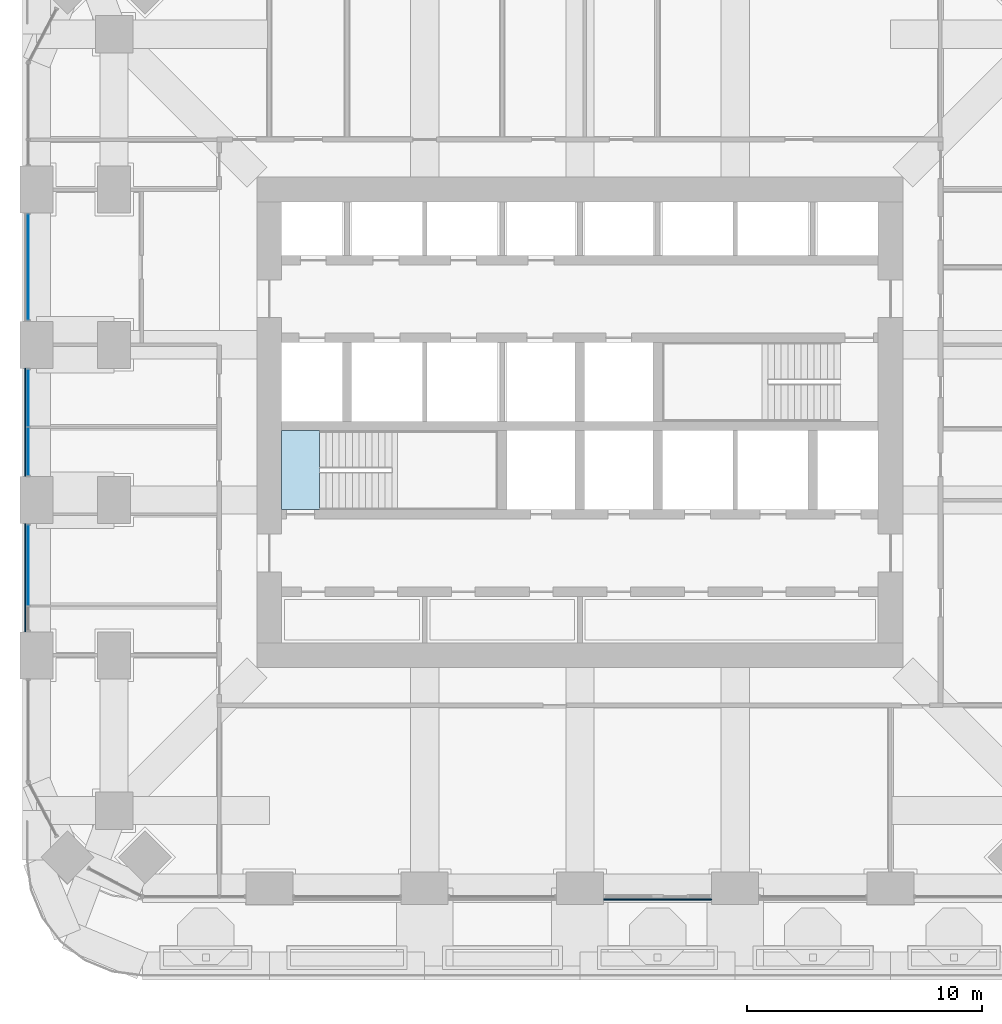
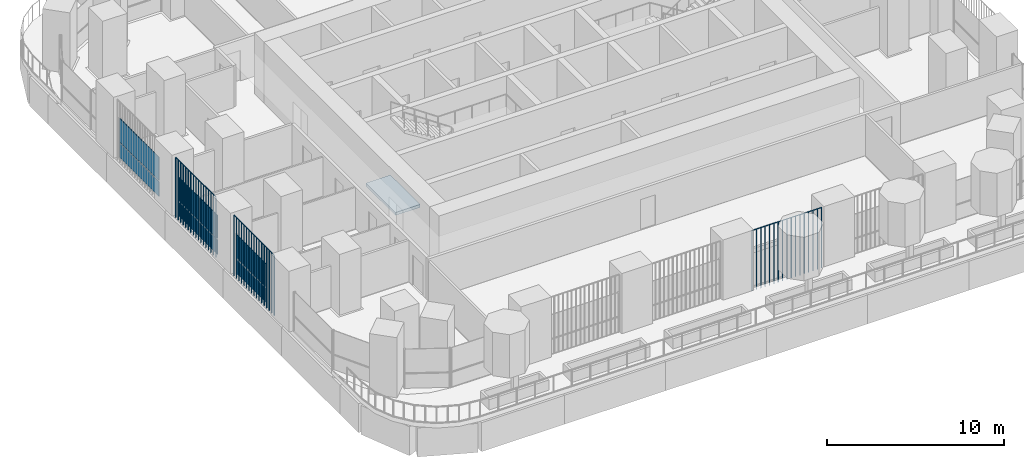
# One storey, part 9 of 22: 11 plates, 1 slab, 4 elements without a shape of their own.
"""IFC4 building model written with IfcOpenShell, lengths in metres."""

from ifc_helpers import new_model, si_unit, direction, frame, origin, origin_2d, place, context, subcontext, project, spatial, polyline, rectangle, outline, extrude, material, layer, layer_set, type_object, element, aggregate, save


model = new_model("IFC4")

# Units and contexts
model_context = context("Model", 3, precision=1e-05, world=origin(), true_north=direction((0.0, 1.0)))
body_context = subcontext(model_context, "Body", "Model", "MODEL_VIEW")
ifc_project = project(units=[si_unit("LENGTHUNIT", "METRE"), si_unit("AREAUNIT", "SQUARE_METRE"), si_unit("VOLUMEUNIT", "CUBIC_METRE"), si_unit("PLANEANGLEUNIT", "RADIAN"), si_unit("MASSUNIT", "GRAM", prefix="KILO")], contexts=[model_context])

# Site, building, storey
site_placement = place(None, origin())
site = spatial("IfcSite", under=ifc_project, at=site_placement, CompositionType="ELEMENT")
building_placement = place(site_placement, origin())
building = spatial("IfcBuilding", under=site, at=building_placement, Name="Cobogo Forest Laboratory Tower", CompositionType="ELEMENT")
storey_placement = place(building_placement, frame((0.0, 0.0, 155.699951171875)))
storey = spatial("IfcBuildingStorey", under=building, at=storey_placement, Name="L35", CompositionType="ELEMENT", Elevation=155.699951171875)

# Curtain wall, plates
ifc_material_1 = material(Name="Aluminium curtain wall", Category="aluminium")
curtain_wall_type = type_object("IfcCurtainWallType", Name="CW-2 unitised curtain wall, solar control glazing, laboratory floors zones C and D", PredefinedType="USERDEFINED", material=ifc_material_1)
curtain_wall_1_placement = place(storey_placement, origin())
curtain_wall_1 = element("IfcCurtainWall", 1, at=curtain_wall_1_placement, inside=storey, type_object=curtain_wall_type, Name="Curtain wall 25 L35", ObjectType="UNITISED CURTAIN WALL", PredefinedType="USERDEFINED")
ifc_material_2 = material(Name="Solar control insulated glass", Category="glass")
ifc_layer_1 = layer(ifc_material_2, 0.031982421875)
ifc_layer_set_1 = layer_set([ifc_layer_1], Name="GP-2 solar control glass unit 32")
plate_type_1 = type_object("IfcPlateType", Name="GP-2 solar control glass unit 32", PredefinedType="CURTAIN_PANEL", material=ifc_layer_set_1)
plate_1_placement = place(storey_placement, frame((2.949951171875, 29.699951171875, 0.0), z_axis=(0.0, 0.0, 1.0), x_axis=(0.0, -1.0, 0.0)))
plate_1 = element("IfcPlate", 2, at=plate_1_placement, type_object=plate_type_1, Name="CW-2 panel 1.1", PredefinedType="CURTAIN_PANEL", context=body_context, shape_type="SweptSolid", body=[
    extrude(rectangle(XDim=4.47998046875, YDim=0.031982421875, at=origin_2d()), origin(), (0.0, 0.0, 1.0), 1.02001953125),
])
plate_2_placement = place(storey_placement, frame((2.949951171875, 29.699951171875, 1.080078125), z_axis=(0.0, 0.0, 1.0), x_axis=(0.0, -1.0, 0.0)))
plate_2 = element("IfcPlate", 3, at=plate_2_placement, type_object=plate_type_1, Name="CW-2 panel 1.2", PredefinedType="CURTAIN_PANEL", context=body_context, shape_type="SweptSolid", body=[
    extrude(rectangle(XDim=4.47998046875, YDim=0.031982421875, at=origin_2d()), origin(), (0.0, 0.0, 1.0), 1.6201171875),
])
aggregate(curtain_wall_1, [plate_1, plate_2])

curtain_wall_2_placement = place(storey_placement, origin())
curtain_wall_2 = element("IfcCurtainWall", 4, at=curtain_wall_2_placement, inside=storey, type_object=curtain_wall_type, Name="Curtain wall 26 L35", ObjectType="UNITISED CURTAIN WALL", PredefinedType="USERDEFINED")
plate_3_placement = place(storey_placement, frame((2.949951171875, 24.135009765625, 0.0), z_axis=(0.0, 0.0, 1.0), x_axis=(0.0, -1.0, 0.0)))
plate_3 = element("IfcPlate", 5, at=plate_3_placement, type_object=plate_type_1, Name="CW-2 panel 1.1", PredefinedType="CURTAIN_PANEL", context=body_context, shape_type="SweptSolid", body=[
    extrude(rectangle(XDim=2.409912109375, YDim=0.031982421875, at=origin_2d()), origin(), (0.0, 0.0, 1.0), 1.02001953125),
])
plate_4_placement = place(storey_placement, frame((2.949951171875, 24.135009765625, 1.080078125), z_axis=(0.0, 0.0, 1.0), x_axis=(0.0, -1.0, 0.0)))
plate_4 = element("IfcPlate", 6, at=plate_4_placement, type_object=plate_type_1, Name="CW-2 panel 1.2", PredefinedType="CURTAIN_PANEL", context=body_context, shape_type="SweptSolid", body=[
    extrude(rectangle(XDim=2.409912109375, YDim=0.031982421875, at=origin_2d()), origin(), (0.0, 0.0, 1.0), 1.6201171875),
])
plate_5_placement = place(storey_placement, frame((2.949951171875, 21.864990234375, 0.0), z_axis=(0.0, 0.0, 1.0), x_axis=(0.0, -1.0, 0.0)))
plate_5 = element("IfcPlate", 7, at=plate_5_placement, type_object=plate_type_1, Name="CW-2 panel 2.1", PredefinedType="CURTAIN_PANEL", context=body_context, shape_type="SweptSolid", body=[
    extrude(rectangle(XDim=2.010009765625, YDim=0.031982421875, at=origin_2d()), origin(), (0.0, 0.0, 1.0), 1.02001953125),
])
plate_6_placement = place(storey_placement, frame((2.949951171875, 21.864990234375, 1.080078125), z_axis=(0.0, 0.0, 1.0), x_axis=(0.0, -1.0, 0.0)))
plate_6 = element("IfcPlate", 8, at=plate_6_placement, type_object=plate_type_1, Name="CW-2 panel 2.2", PredefinedType="CURTAIN_PANEL", context=body_context, shape_type="SweptSolid", body=[
    extrude(rectangle(XDim=2.010009765625, YDim=0.031982421875, at=origin_2d()), origin(), (0.0, 0.0, 1.0), 1.6201171875),
])
aggregate(curtain_wall_2, [plate_3, plate_4, plate_5, plate_6])

curtain_wall_3_placement = place(storey_placement, origin())
curtain_wall_3 = element("IfcCurtainWall", 9, at=curtain_wall_3_placement, inside=storey, type_object=curtain_wall_type, Name="Curtain wall 27 L35", ObjectType="UNITISED CURTAIN WALL", PredefinedType="USERDEFINED")
plate_7_placement = place(storey_placement, frame((2.949951171875, 17.034912109375, 0.0), z_axis=(0.0, 0.0, 1.0), x_axis=(0.0, -1.0, 0.0)))
plate_7 = element("IfcPlate", 10, at=plate_7_placement, type_object=plate_type_1, Name="CW-2 panel 1.1", PredefinedType="CURTAIN_PANEL", context=body_context, shape_type="SweptSolid", body=[
    extrude(rectangle(XDim=3.409912109375, YDim=0.031982421875, at=origin_2d()), origin(), (0.0, 0.0, 1.0), 1.02001953125),
])
plate_8_placement = place(storey_placement, frame((2.949951171875, 17.034912109375, 1.080078125), z_axis=(0.0, 0.0, 1.0), x_axis=(0.0, -1.0, 0.0)))
plate_8 = element("IfcPlate", 11, at=plate_8_placement, type_object=plate_type_1, Name="CW-2 panel 1.2", PredefinedType="CURTAIN_PANEL", context=body_context, shape_type="SweptSolid", body=[
    extrude(rectangle(XDim=3.409912109375, YDim=0.031982421875, at=origin_2d()), origin(), (0.0, 0.0, 1.0), 1.6201171875),
])
aggregate(curtain_wall_3, [plate_7, plate_8])

# Stair, slab
ifc_material_3 = material(Name="Precast concrete HA-40 (C40/50)", Category="concrete")
stair_type = type_object("IfcStairType", Name="ST24 exit stair 24 risers", PredefinedType="HALF_TURN_STAIR", material=ifc_material_3)
stair_placement = place(storey_placement, origin())
stair = element("IfcStair", 12, at=stair_placement, inside=storey, type_object=stair_type, Name="Stair 1 L35 to L36", PredefinedType="HALF_TURN_STAIR")
ifc_material_4 = material(Name="Concrete HA-40 (C40/50)", Category="concrete")
ifc_layer_2 = layer(ifc_material_4, 0.199951171875)
ifc_layer_set_2 = layer_set([ifc_layer_2], Name="SL stair landing 200")
slab_type = type_object("IfcSlabType", Name="SL stair landing 200", PredefinedType="LANDING", material=ifc_layer_set_2)
slab_placement = place(storey_placement, frame((0.0, 0.0, -0.199951171875)))
slab = element("IfcSlab", 13, at=slab_placement, type_object=slab_type, Name="ST1 landing 1", PredefinedType="LANDING", context=body_context, shape_type="SweptSolid", body=[
    extrude(outline(polyline([(13.72509765625, 19.39990234375), (15.326904296875, 19.39990234375), (15.326904296875, 22.75), (13.72509765625, 22.75), (13.72509765625, 19.39990234375)])), origin(), (0.0, 0.0, 1.0), 0.199951171875),
])
aggregate(stair, [slab])

# Plates
ifc_material_5 = material(Name="Terracotta", Category="masonry")
plate_type_2 = type_object("IfcPlateType", Name="TB1 terracotta baguette screen", PredefinedType="USERDEFINED", material=ifc_material_5)
plate_9_placement = place(storey_placement, frame((27.43115234375, 2.822021484375, -0.14990234375)))
element("IfcPlate", 14, at=plate_9_placement, inside=storey, type_object=plate_type_2, Name="Baguette screen S3 L35", ObjectType="BAGUETTE SCREEN", PredefinedType="USERDEFINED", context=body_context, shape_type="SweptSolid", body=[
    extrude(outline(polyline([(0.02880859375, 0.011962890625), (0.011962890625, 0.02880859375), (-0.011962890625, 0.02880859375), (-0.02880859375, 0.011962890625), (-0.02880859375, -0.011962890625), (-0.011962890625, -0.02880859375), (0.011962890625, -0.02880859375), (0.02880859375, -0.011962890625), (0.02880859375, 0.011962890625)])), frame((0.0, 0.0, 4.168701171875), z_axis=(1.0, 0.0, 0.0), x_axis=(0.0, 1.0, 0.0)), (0.0, 0.0, 1.0), 4.53759765625),
    extrude(outline(polyline([(0.02880859375, 0.011962890625), (0.011962890625, 0.02880859375), (-0.011962890625, 0.02880859375), (-0.02880859375, 0.011962890625), (-0.02880859375, -0.011962890625), (-0.011962890625, -0.02880859375), (0.011962890625, -0.02880859375), (0.02880859375, -0.011962890625), (0.02880859375, 0.011962890625)])), origin(), (0.0, 0.0, 1.0), 4.137451171875),
    extrude(outline(polyline([(0.02880859375, 0.011962890625), (0.011962890625, 0.02880859375), (-0.011962890625, 0.02880859375), (-0.02880859375, 0.011962890625), (-0.02880859375, -0.011962890625), (-0.011962890625, -0.02880859375), (0.011962890625, -0.02880859375), (0.02880859375, -0.011962890625), (0.02880859375, 0.011962890625)])), frame((0.28369140625, 0.0, 0.0)), (0.0, 0.0, 1.0), 4.137451171875),
    extrude(outline(polyline([(0.02880859375, 0.011962890625), (0.011962890625, 0.02880859375), (-0.011962890625, 0.02880859375), (-0.02880859375, 0.011962890625), (-0.02880859375, -0.011962890625), (-0.011962890625, -0.02880859375), (0.011962890625, -0.02880859375), (0.02880859375, -0.011962890625), (0.02880859375, 0.011962890625)])), frame((0.567138671875, 0.0, 0.0)), (0.0, 0.0, 1.0), 4.137451171875),
    extrude(outline(polyline([(0.02880859375, 0.011962890625), (0.011962890625, 0.02880859375), (-0.011962890625, 0.02880859375), (-0.02880859375, 0.011962890625), (-0.02880859375, -0.011962890625), (-0.011962890625, -0.02880859375), (0.011962890625, -0.02880859375), (0.02880859375, -0.011962890625), (0.02880859375, 0.011962890625)])), frame((0.850830078125, 0.0, 0.0)), (0.0, 0.0, 1.0), 4.137451171875),
    extrude(outline(polyline([(0.02880859375, 0.011962890625), (0.011962890625, 0.02880859375), (-0.011962890625, 0.02880859375), (-0.02880859375, 0.011962890625), (-0.02880859375, -0.011962890625), (-0.011962890625, -0.02880859375), (0.011962890625, -0.02880859375), (0.02880859375, -0.011962890625), (0.02880859375, 0.011962890625)])), frame((1.13427734375, 0.0, 0.0)), (0.0, 0.0, 1.0), 4.137451171875),
    extrude(outline(polyline([(0.02880859375, 0.011962890625), (0.011962890625, 0.02880859375), (-0.011962890625, 0.02880859375), (-0.02880859375, 0.011962890625), (-0.02880859375, -0.011962890625), (-0.011962890625, -0.02880859375), (0.011962890625, -0.02880859375), (0.02880859375, -0.011962890625), (0.02880859375, 0.011962890625)])), frame((1.41796875, 0.0, 0.0)), (0.0, 0.0, 1.0), 4.137451171875),
    extrude(outline(polyline([(0.02880859375, 0.011962890625), (0.011962890625, 0.02880859375), (-0.011962890625, 0.02880859375), (-0.02880859375, 0.011962890625), (-0.02880859375, -0.011962890625), (-0.011962890625, -0.02880859375), (0.011962890625, -0.02880859375), (0.02880859375, -0.011962890625), (0.02880859375, 0.011962890625)])), frame((1.70166015625, 0.0, 0.0)), (0.0, 0.0, 1.0), 4.137451171875),
    extrude(outline(polyline([(0.02880859375, 0.011962890625), (0.011962890625, 0.02880859375), (-0.011962890625, 0.02880859375), (-0.02880859375, 0.011962890625), (-0.02880859375, -0.011962890625), (-0.011962890625, -0.02880859375), (0.011962890625, -0.02880859375), (0.02880859375, -0.011962890625), (0.02880859375, 0.011962890625)])), frame((1.985107421875, 0.0, 0.0)), (0.0, 0.0, 1.0), 4.137451171875),
    extrude(outline(polyline([(0.02880859375, 0.011962890625), (0.011962890625, 0.02880859375), (-0.011962890625, 0.02880859375), (-0.02880859375, 0.011962890625), (-0.02880859375, -0.011962890625), (-0.011962890625, -0.02880859375), (0.011962890625, -0.02880859375), (0.02880859375, -0.011962890625), (0.02880859375, 0.011962890625)])), frame((2.268798828125, 0.0, 0.0)), (0.0, 0.0, 1.0), 4.137451171875),
    extrude(outline(polyline([(0.02880859375, 0.011962890625), (0.011962890625, 0.02880859375), (-0.011962890625, 0.02880859375), (-0.02880859375, 0.011962890625), (-0.02880859375, -0.011962890625), (-0.011962890625, -0.02880859375), (0.011962890625, -0.02880859375), (0.02880859375, -0.011962890625), (0.02880859375, 0.011962890625)])), frame((2.552490234375, 0.0, 0.0)), (0.0, 0.0, 1.0), 4.137451171875),
    extrude(outline(polyline([(0.02880859375, 0.011962890625), (0.011962890625, 0.02880859375), (-0.011962890625, 0.02880859375), (-0.02880859375, 0.011962890625), (-0.02880859375, -0.011962890625), (-0.011962890625, -0.02880859375), (0.011962890625, -0.02880859375), (0.02880859375, -0.011962890625), (0.02880859375, 0.011962890625)])), frame((2.8359375, 0.0, 0.0)), (0.0, 0.0, 1.0), 4.137451171875),
    extrude(outline(polyline([(0.02880859375, 0.011962890625), (0.011962890625, 0.02880859375), (-0.011962890625, 0.02880859375), (-0.02880859375, 0.011962890625), (-0.02880859375, -0.011962890625), (-0.011962890625, -0.02880859375), (0.011962890625, -0.02880859375), (0.02880859375, -0.011962890625), (0.02880859375, 0.011962890625)])), frame((3.11962890625, 0.0, 0.0)), (0.0, 0.0, 1.0), 4.137451171875),
    extrude(outline(polyline([(0.02880859375, 0.011962890625), (0.011962890625, 0.02880859375), (-0.011962890625, 0.02880859375), (-0.02880859375, 0.011962890625), (-0.02880859375, -0.011962890625), (-0.011962890625, -0.02880859375), (0.011962890625, -0.02880859375), (0.02880859375, -0.011962890625), (0.02880859375, 0.011962890625)])), frame((3.4033203125, 0.0, 0.0)), (0.0, 0.0, 1.0), 4.137451171875),
    extrude(outline(polyline([(0.02880859375, 0.011962890625), (0.011962890625, 0.02880859375), (-0.011962890625, 0.02880859375), (-0.02880859375, 0.011962890625), (-0.02880859375, -0.011962890625), (-0.011962890625, -0.02880859375), (0.011962890625, -0.02880859375), (0.02880859375, -0.011962890625), (0.02880859375, 0.011962890625)])), frame((3.686767578125, 0.0, 0.0)), (0.0, 0.0, 1.0), 4.137451171875),
    extrude(outline(polyline([(0.02880859375, 0.011962890625), (0.011962890625, 0.02880859375), (-0.011962890625, 0.02880859375), (-0.02880859375, 0.011962890625), (-0.02880859375, -0.011962890625), (-0.011962890625, -0.02880859375), (0.011962890625, -0.02880859375), (0.02880859375, -0.011962890625), (0.02880859375, 0.011962890625)])), frame((3.970458984375, 0.0, 0.0)), (0.0, 0.0, 1.0), 4.137451171875),
    extrude(outline(polyline([(0.02880859375, 0.011962890625), (0.011962890625, 0.02880859375), (-0.011962890625, 0.02880859375), (-0.02880859375, 0.011962890625), (-0.02880859375, -0.011962890625), (-0.011962890625, -0.02880859375), (0.011962890625, -0.02880859375), (0.02880859375, -0.011962890625), (0.02880859375, 0.011962890625)])), frame((4.25390625, 0.0, 0.0)), (0.0, 0.0, 1.0), 4.137451171875),
    extrude(outline(polyline([(0.02880859375, 0.011962890625), (0.011962890625, 0.02880859375), (-0.011962890625, 0.02880859375), (-0.02880859375, 0.011962890625), (-0.02880859375, -0.011962890625), (-0.011962890625, -0.02880859375), (0.011962890625, -0.02880859375), (0.02880859375, -0.011962890625), (0.02880859375, 0.011962890625)])), frame((4.53759765625, 0.0, 0.0)), (0.0, 0.0, 1.0), 4.137451171875),
])
plate_10_placement = place(storey_placement, frame((2.822021484375, 14.231201171875, -0.14990234375)))
element("IfcPlate", 15, at=plate_10_placement, inside=storey, type_object=plate_type_2, Name="Baguette screen W1 L35", ObjectType="BAGUETTE SCREEN", PredefinedType="USERDEFINED", context=body_context, shape_type="SweptSolid", body=[
    extrude(outline(polyline([(0.02880859375, 0.011962890625), (0.011962890625, 0.02880859375), (-0.011962890625, 0.02880859375), (-0.02880859375, 0.011962890625), (-0.02880859375, -0.011962890625), (-0.011962890625, -0.02880859375), (0.011962890625, -0.02880859375), (0.02880859375, -0.011962890625), (0.02880859375, 0.011962890625)])), frame((0.0, 0.0, 4.168701171875), z_axis=(0.0, 1.0, 0.0), x_axis=(-1.0, 0.0, 0.0)), (0.0, 0.0, 1.0), 4.53759765625),
    extrude(outline(polyline([(0.02880859375, 0.011962890625), (0.011962890625, 0.02880859375), (-0.011962890625, 0.02880859375), (-0.02880859375, 0.011962890625), (-0.02880859375, -0.011962890625), (-0.011962890625, -0.02880859375), (0.011962890625, -0.02880859375), (0.02880859375, -0.011962890625), (0.02880859375, 0.011962890625)])), origin(), (0.0, 0.0, 1.0), 4.137451171875),
    extrude(outline(polyline([(0.02880859375, 0.011962890625), (0.011962890625, 0.02880859375), (-0.011962890625, 0.02880859375), (-0.02880859375, 0.011962890625), (-0.02880859375, -0.011962890625), (-0.011962890625, -0.02880859375), (0.011962890625, -0.02880859375), (0.02880859375, -0.011962890625), (0.02880859375, 0.011962890625)])), frame((0.0, 0.28369140625, 0.0)), (0.0, 0.0, 1.0), 4.137451171875),
    extrude(outline(polyline([(0.02880859375, 0.011962890625), (0.011962890625, 0.02880859375), (-0.011962890625, 0.02880859375), (-0.02880859375, 0.011962890625), (-0.02880859375, -0.011962890625), (-0.011962890625, -0.02880859375), (0.011962890625, -0.02880859375), (0.02880859375, -0.011962890625), (0.02880859375, 0.011962890625)])), frame((0.0, 0.567138671875, 0.0)), (0.0, 0.0, 1.0), 4.137451171875),
    extrude(outline(polyline([(0.02880859375, 0.011962890625), (0.011962890625, 0.02880859375), (-0.011962890625, 0.02880859375), (-0.02880859375, 0.011962890625), (-0.02880859375, -0.011962890625), (-0.011962890625, -0.02880859375), (0.011962890625, -0.02880859375), (0.02880859375, -0.011962890625), (0.02880859375, 0.011962890625)])), frame((0.0, 0.850830078125, 0.0)), (0.0, 0.0, 1.0), 4.137451171875),
    extrude(outline(polyline([(0.02880859375, 0.011962890625), (0.011962890625, 0.02880859375), (-0.011962890625, 0.02880859375), (-0.02880859375, 0.011962890625), (-0.02880859375, -0.011962890625), (-0.011962890625, -0.02880859375), (0.011962890625, -0.02880859375), (0.02880859375, -0.011962890625), (0.02880859375, 0.011962890625)])), frame((0.0, 1.13427734375, 0.0)), (0.0, 0.0, 1.0), 4.137451171875),
    extrude(outline(polyline([(0.02880859375, 0.011962890625), (0.011962890625, 0.02880859375), (-0.011962890625, 0.02880859375), (-0.02880859375, 0.011962890625), (-0.02880859375, -0.011962890625), (-0.011962890625, -0.02880859375), (0.011962890625, -0.02880859375), (0.02880859375, -0.011962890625), (0.02880859375, 0.011962890625)])), frame((0.0, 1.41796875, 0.0)), (0.0, 0.0, 1.0), 4.137451171875),
    extrude(outline(polyline([(0.02880859375, 0.011962890625), (0.011962890625, 0.02880859375), (-0.011962890625, 0.02880859375), (-0.02880859375, 0.011962890625), (-0.02880859375, -0.011962890625), (-0.011962890625, -0.02880859375), (0.011962890625, -0.02880859375), (0.02880859375, -0.011962890625), (0.02880859375, 0.011962890625)])), frame((0.0, 1.70166015625, 0.0)), (0.0, 0.0, 1.0), 4.137451171875),
    extrude(outline(polyline([(0.02880859375, 0.011962890625), (0.011962890625, 0.02880859375), (-0.011962890625, 0.02880859375), (-0.02880859375, 0.011962890625), (-0.02880859375, -0.011962890625), (-0.011962890625, -0.02880859375), (0.011962890625, -0.02880859375), (0.02880859375, -0.011962890625), (0.02880859375, 0.011962890625)])), frame((0.0, 1.985107421875, 0.0)), (0.0, 0.0, 1.0), 4.137451171875),
    extrude(outline(polyline([(0.02880859375, 0.011962890625), (0.011962890625, 0.02880859375), (-0.011962890625, 0.02880859375), (-0.02880859375, 0.011962890625), (-0.02880859375, -0.011962890625), (-0.011962890625, -0.02880859375), (0.011962890625, -0.02880859375), (0.02880859375, -0.011962890625), (0.02880859375, 0.011962890625)])), frame((0.0, 2.268798828125, 0.0)), (0.0, 0.0, 1.0), 4.137451171875),
    extrude(outline(polyline([(0.02880859375, 0.011962890625), (0.011962890625, 0.02880859375), (-0.011962890625, 0.02880859375), (-0.02880859375, 0.011962890625), (-0.02880859375, -0.011962890625), (-0.011962890625, -0.02880859375), (0.011962890625, -0.02880859375), (0.02880859375, -0.011962890625), (0.02880859375, 0.011962890625)])), frame((0.0, 2.552490234375, 0.0)), (0.0, 0.0, 1.0), 4.137451171875),
    extrude(outline(polyline([(0.02880859375, 0.011962890625), (0.011962890625, 0.02880859375), (-0.011962890625, 0.02880859375), (-0.02880859375, 0.011962890625), (-0.02880859375, -0.011962890625), (-0.011962890625, -0.02880859375), (0.011962890625, -0.02880859375), (0.02880859375, -0.011962890625), (0.02880859375, 0.011962890625)])), frame((0.0, 2.8359375, 0.0)), (0.0, 0.0, 1.0), 4.137451171875),
    extrude(outline(polyline([(0.02880859375, 0.011962890625), (0.011962890625, 0.02880859375), (-0.011962890625, 0.02880859375), (-0.02880859375, 0.011962890625), (-0.02880859375, -0.011962890625), (-0.011962890625, -0.02880859375), (0.011962890625, -0.02880859375), (0.02880859375, -0.011962890625), (0.02880859375, 0.011962890625)])), frame((0.0, 3.11962890625, 0.0)), (0.0, 0.0, 1.0), 4.137451171875),
    extrude(outline(polyline([(0.02880859375, 0.011962890625), (0.011962890625, 0.02880859375), (-0.011962890625, 0.02880859375), (-0.02880859375, 0.011962890625), (-0.02880859375, -0.011962890625), (-0.011962890625, -0.02880859375), (0.011962890625, -0.02880859375), (0.02880859375, -0.011962890625), (0.02880859375, 0.011962890625)])), frame((0.0, 3.4033203125, 0.0)), (0.0, 0.0, 1.0), 4.137451171875),
    extrude(outline(polyline([(0.02880859375, 0.011962890625), (0.011962890625, 0.02880859375), (-0.011962890625, 0.02880859375), (-0.02880859375, 0.011962890625), (-0.02880859375, -0.011962890625), (-0.011962890625, -0.02880859375), (0.011962890625, -0.02880859375), (0.02880859375, -0.011962890625), (0.02880859375, 0.011962890625)])), frame((0.0, 3.686767578125, 0.0)), (0.0, 0.0, 1.0), 4.137451171875),
    extrude(outline(polyline([(0.02880859375, 0.011962890625), (0.011962890625, 0.02880859375), (-0.011962890625, 0.02880859375), (-0.02880859375, 0.011962890625), (-0.02880859375, -0.011962890625), (-0.011962890625, -0.02880859375), (0.011962890625, -0.02880859375), (0.02880859375, -0.011962890625), (0.02880859375, 0.011962890625)])), frame((0.0, 3.970458984375, 0.0)), (0.0, 0.0, 1.0), 4.137451171875),
    extrude(outline(polyline([(0.02880859375, 0.011962890625), (0.011962890625, 0.02880859375), (-0.011962890625, 0.02880859375), (-0.02880859375, 0.011962890625), (-0.02880859375, -0.011962890625), (-0.011962890625, -0.02880859375), (0.011962890625, -0.02880859375), (0.02880859375, -0.011962890625), (0.02880859375, 0.011962890625)])), frame((0.0, 4.25390625, 0.0)), (0.0, 0.0, 1.0), 4.137451171875),
    extrude(outline(polyline([(0.02880859375, 0.011962890625), (0.011962890625, 0.02880859375), (-0.011962890625, 0.02880859375), (-0.02880859375, 0.011962890625), (-0.02880859375, -0.011962890625), (-0.011962890625, -0.02880859375), (0.011962890625, -0.02880859375), (0.02880859375, -0.011962890625), (0.02880859375, 0.011962890625)])), frame((0.0, 4.53759765625, 0.0)), (0.0, 0.0, 1.0), 4.137451171875),
])
plate_11_placement = place(storey_placement, frame((2.822021484375, 20.831298828125, -0.14990234375)))
element("IfcPlate", 16, at=plate_11_placement, inside=storey, type_object=plate_type_2, Name="Baguette screen W2 L35", ObjectType="BAGUETTE SCREEN", PredefinedType="USERDEFINED", context=body_context, shape_type="SweptSolid", body=[
    extrude(outline(polyline([(0.02880859375, 0.011962890625), (0.011962890625, 0.02880859375), (-0.011962890625, 0.02880859375), (-0.02880859375, 0.011962890625), (-0.02880859375, -0.011962890625), (-0.011962890625, -0.02880859375), (0.011962890625, -0.02880859375), (0.02880859375, -0.011962890625), (0.02880859375, 0.011962890625)])), frame((0.0, 0.0, 4.168701171875), z_axis=(0.0, 1.0, 0.0), x_axis=(-1.0, 0.0, 0.0)), (0.0, 0.0, 1.0), 4.537353515625),
    extrude(outline(polyline([(0.02880859375, 0.011962890625), (0.011962890625, 0.02880859375), (-0.011962890625, 0.02880859375), (-0.02880859375, 0.011962890625), (-0.02880859375, -0.011962890625), (-0.011962890625, -0.02880859375), (0.011962890625, -0.02880859375), (0.02880859375, -0.011962890625), (0.02880859375, 0.011962890625)])), origin(), (0.0, 0.0, 1.0), 4.137451171875),
    extrude(outline(polyline([(0.02880859375, 0.011962890625), (0.011962890625, 0.02880859375), (-0.011962890625, 0.02880859375), (-0.02880859375, 0.011962890625), (-0.02880859375, -0.011962890625), (-0.011962890625, -0.02880859375), (0.011962890625, -0.02880859375), (0.02880859375, -0.011962890625), (0.02880859375, 0.011962890625)])), frame((0.0, 0.28369140625, 0.0)), (0.0, 0.0, 1.0), 4.137451171875),
    extrude(outline(polyline([(0.02880859375, 0.011962890625), (0.011962890625, 0.02880859375), (-0.011962890625, 0.02880859375), (-0.02880859375, 0.011962890625), (-0.02880859375, -0.011962890625), (-0.011962890625, -0.02880859375), (0.011962890625, -0.02880859375), (0.02880859375, -0.011962890625), (0.02880859375, 0.011962890625)])), frame((0.0, 0.567138671875, 0.0)), (0.0, 0.0, 1.0), 4.137451171875),
    extrude(outline(polyline([(0.02880859375, 0.011962890625), (0.011962890625, 0.02880859375), (-0.011962890625, 0.02880859375), (-0.02880859375, 0.011962890625), (-0.02880859375, -0.011962890625), (-0.011962890625, -0.02880859375), (0.011962890625, -0.02880859375), (0.02880859375, -0.011962890625), (0.02880859375, 0.011962890625)])), frame((0.0, 0.850830078125, 0.0)), (0.0, 0.0, 1.0), 4.137451171875),
    extrude(outline(polyline([(0.02880859375, 0.011962890625), (0.011962890625, 0.02880859375), (-0.011962890625, 0.02880859375), (-0.02880859375, 0.011962890625), (-0.02880859375, -0.011962890625), (-0.011962890625, -0.02880859375), (0.011962890625, -0.02880859375), (0.02880859375, -0.011962890625), (0.02880859375, 0.011962890625)])), frame((0.0, 1.13427734375, 0.0)), (0.0, 0.0, 1.0), 4.137451171875),
    extrude(outline(polyline([(0.02880859375, 0.011962890625), (0.011962890625, 0.02880859375), (-0.011962890625, 0.02880859375), (-0.02880859375, 0.011962890625), (-0.02880859375, -0.011962890625), (-0.011962890625, -0.02880859375), (0.011962890625, -0.02880859375), (0.02880859375, -0.011962890625), (0.02880859375, 0.011962890625)])), frame((0.0, 1.41796875, 0.0)), (0.0, 0.0, 1.0), 4.137451171875),
    extrude(outline(polyline([(0.02880859375, 0.011962890625), (0.011962890625, 0.02880859375), (-0.011962890625, 0.02880859375), (-0.02880859375, 0.011962890625), (-0.02880859375, -0.011962890625), (-0.011962890625, -0.02880859375), (0.011962890625, -0.02880859375), (0.02880859375, -0.011962890625), (0.02880859375, 0.011962890625)])), frame((0.0, 1.701416015625, 0.0)), (0.0, 0.0, 1.0), 4.137451171875),
    extrude(outline(polyline([(0.02880859375, 0.011962890625), (0.011962890625, 0.02880859375), (-0.011962890625, 0.02880859375), (-0.02880859375, 0.011962890625), (-0.02880859375, -0.011962890625), (-0.011962890625, -0.02880859375), (0.011962890625, -0.02880859375), (0.02880859375, -0.011962890625), (0.02880859375, 0.011962890625)])), frame((0.0, 1.985107421875, 0.0)), (0.0, 0.0, 1.0), 4.137451171875),
    extrude(outline(polyline([(0.02880859375, 0.011962890625), (0.011962890625, 0.02880859375), (-0.011962890625, 0.02880859375), (-0.02880859375, 0.011962890625), (-0.02880859375, -0.011962890625), (-0.011962890625, -0.02880859375), (0.011962890625, -0.02880859375), (0.02880859375, -0.011962890625), (0.02880859375, 0.011962890625)])), frame((0.0, 2.2685546875, 0.0)), (0.0, 0.0, 1.0), 4.137451171875),
    extrude(outline(polyline([(0.02880859375, 0.011962890625), (0.011962890625, 0.02880859375), (-0.011962890625, 0.02880859375), (-0.02880859375, 0.011962890625), (-0.02880859375, -0.011962890625), (-0.011962890625, -0.02880859375), (0.011962890625, -0.02880859375), (0.02880859375, -0.011962890625), (0.02880859375, 0.011962890625)])), frame((0.0, 2.55224609375, 0.0)), (0.0, 0.0, 1.0), 4.137451171875),
    extrude(outline(polyline([(0.02880859375, 0.011962890625), (0.011962890625, 0.02880859375), (-0.011962890625, 0.02880859375), (-0.02880859375, 0.011962890625), (-0.02880859375, -0.011962890625), (-0.011962890625, -0.02880859375), (0.011962890625, -0.02880859375), (0.02880859375, -0.011962890625), (0.02880859375, 0.011962890625)])), frame((0.0, 2.8359375, 0.0)), (0.0, 0.0, 1.0), 4.137451171875),
    extrude(outline(polyline([(0.02880859375, 0.011962890625), (0.011962890625, 0.02880859375), (-0.011962890625, 0.02880859375), (-0.02880859375, 0.011962890625), (-0.02880859375, -0.011962890625), (-0.011962890625, -0.02880859375), (0.011962890625, -0.02880859375), (0.02880859375, -0.011962890625), (0.02880859375, 0.011962890625)])), frame((0.0, 3.119384765625, 0.0)), (0.0, 0.0, 1.0), 4.137451171875),
    extrude(outline(polyline([(0.02880859375, 0.011962890625), (0.011962890625, 0.02880859375), (-0.011962890625, 0.02880859375), (-0.02880859375, 0.011962890625), (-0.02880859375, -0.011962890625), (-0.011962890625, -0.02880859375), (0.011962890625, -0.02880859375), (0.02880859375, -0.011962890625), (0.02880859375, 0.011962890625)])), frame((0.0, 3.403076171875, 0.0)), (0.0, 0.0, 1.0), 4.137451171875),
    extrude(outline(polyline([(0.02880859375, 0.011962890625), (0.011962890625, 0.02880859375), (-0.011962890625, 0.02880859375), (-0.02880859375, 0.011962890625), (-0.02880859375, -0.011962890625), (-0.011962890625, -0.02880859375), (0.011962890625, -0.02880859375), (0.02880859375, -0.011962890625), (0.02880859375, 0.011962890625)])), frame((0.0, 3.6865234375, 0.0)), (0.0, 0.0, 1.0), 4.137451171875),
    extrude(outline(polyline([(0.02880859375, 0.011962890625), (0.011962890625, 0.02880859375), (-0.011962890625, 0.02880859375), (-0.02880859375, 0.011962890625), (-0.02880859375, -0.011962890625), (-0.011962890625, -0.02880859375), (0.011962890625, -0.02880859375), (0.02880859375, -0.011962890625), (0.02880859375, 0.011962890625)])), frame((0.0, 3.97021484375, 0.0)), (0.0, 0.0, 1.0), 4.137451171875),
    extrude(outline(polyline([(0.02880859375, 0.011962890625), (0.011962890625, 0.02880859375), (-0.011962890625, 0.02880859375), (-0.02880859375, 0.011962890625), (-0.02880859375, -0.011962890625), (-0.011962890625, -0.02880859375), (0.011962890625, -0.02880859375), (0.02880859375, -0.011962890625), (0.02880859375, 0.011962890625)])), frame((0.0, 4.253662109375, 0.0)), (0.0, 0.0, 1.0), 4.137451171875),
    extrude(outline(polyline([(0.02880859375, 0.011962890625), (0.011962890625, 0.02880859375), (-0.011962890625, 0.02880859375), (-0.02880859375, 0.011962890625), (-0.02880859375, -0.011962890625), (-0.011962890625, -0.02880859375), (0.011962890625, -0.02880859375), (0.02880859375, -0.011962890625), (0.02880859375, 0.011962890625)])), frame((0.0, 4.537353515625, 0.0)), (0.0, 0.0, 1.0), 4.137451171875),
])

save(model, "model.ifc")
